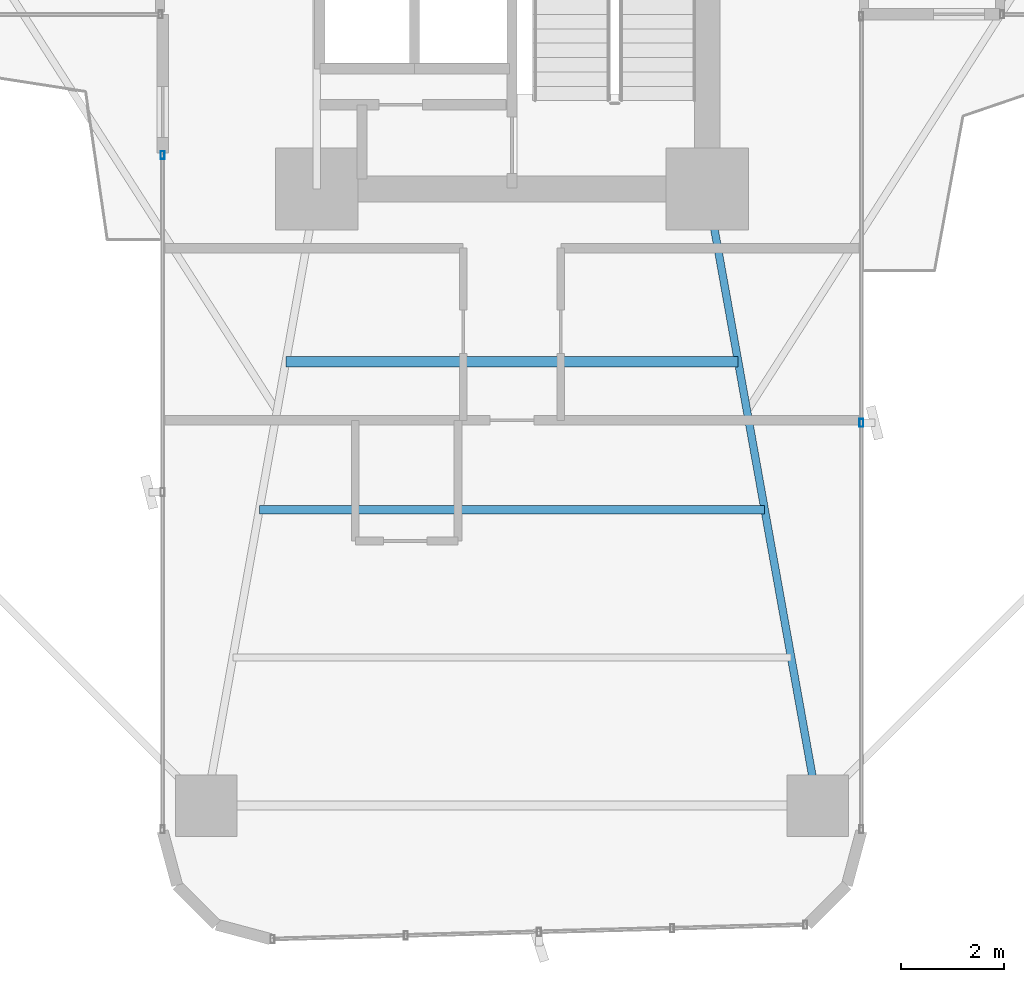
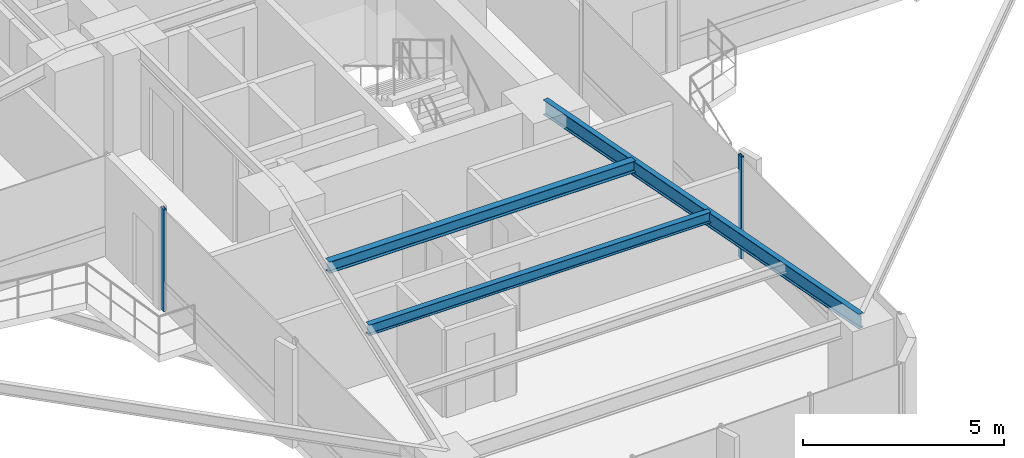
# One storey, part 4 of 26: 3 beams, 2 members, 2 elements without a shape of their own.
"""IFC4 building model written with IfcOpenShell, lengths in metres."""

from ifc_helpers import new_model, si_unit, direction, frame, origin, origin_2d, place, context, subcontext, project, spatial, hollow_rectangle, i_section, extrude, source, transform, mapped, material, material_profile, profile_set, type_object, element, aggregate, save


model = new_model("IFC4")

# Units and contexts
model_context = context("Model", 3, precision=1e-05, world=origin(), true_north=direction((0.0, 1.0)))
body_context = subcontext(model_context, "Body", "Model", "MODEL_VIEW")
ifc_project = project(units=[si_unit("LENGTHUNIT", "METRE"), si_unit("AREAUNIT", "SQUARE_METRE"), si_unit("VOLUMEUNIT", "CUBIC_METRE"), si_unit("PLANEANGLEUNIT", "RADIAN"), si_unit("MASSUNIT", "GRAM", prefix="KILO")], contexts=[model_context])

# Site, building, storey
site_placement = place(None, origin())
site = spatial("IfcSite", under=ifc_project, at=site_placement, CompositionType="ELEMENT")
building_placement = place(site_placement, origin())
building = spatial("IfcBuilding", under=site, at=building_placement, Name="Sahyath Konkavel Grand Hotel", CompositionType="ELEMENT")
storey_placement = place(building_placement, frame((0.0, 0.0, 51.050048828125)))
storey = spatial("IfcBuildingStorey", under=building, at=storey_placement, Name="L13", CompositionType="ELEMENT", Elevation=51.050048828125)

# Beams
ifc_material_1 = material(Name="Steel E350", Category="steel")
ifc_material_profile_1 = material_profile(ifc_material_1, i_section(OverallWidth=0.14990234375, OverallDepth=0.449951171875, WebThickness=0.009521484375, FlangeThickness=0.017333984375, FilletRadius=0.014892578125, at=origin_2d()), Name="ISMB 450")
ifc_profile_set_1 = profile_set([ifc_material_profile_1], Name="Steel E350")
beam_type_1 = type_object("IfcBeamType", Name="BM-ISMB450", PredefinedType="BEAM", material=ifc_profile_set_1)
shared_shape_1 = source(origin(), body_context, "Body", "SweptSolid", [
    extrude(i_section(OverallWidth=0.14990234375, OverallDepth=0.449951171875, WebThickness=0.009521484375, FlangeThickness=0.017333984375, FilletRadius=0.014892578125, at=origin_2d()), origin(), (0.0, 0.0, 1.0), 12.191162109375),
])
beam_1_placement = place(storey_placement, frame((3.800048828125, -10.199951171875, 2.885009765625), z_axis=(0.176350650305, -0.984327409014, 0.0), x_axis=(0.984327409014, 0.176350650305, 0.0)))
element("IfcBeam", 1, at=beam_1_placement, inside=storey, type_object=beam_type_1, Name="L13 Cruciform Radial Girder SB", PredefinedType="BEAM", context=body_context, shape_type="MappedRepresentation", body=[
    mapped(shared_shape_1, transform((0.0, 0.0, 0.0), scale=1.0)),
])
ifc_material_profile_2 = material_profile(ifc_material_1, i_section(OverallWidth=0.199951171875, OverallDepth=0.35009765625, WebThickness=0.008056640625, FlangeThickness=0.011474609375, FilletRadius=0.013916015625, at=origin_2d()), Name="ISWB 350")
ifc_profile_set_2 = profile_set([ifc_material_profile_2], Name="Steel E350")
beam_type_2 = type_object("IfcBeamType", Name="BM-ISWB350", PredefinedType="BEAM", material=ifc_profile_set_2)
shared_shape_2 = source(origin(), body_context, "Body", "SweptSolid", [
    extrude(i_section(OverallWidth=0.199951171875, OverallDepth=0.35009765625, WebThickness=0.008056640625, FlangeThickness=0.011474609375, FilletRadius=0.013916015625, at=origin_2d()), origin(), (0.0, 0.0, 1.0), 8.80419921875),
])
beam_2_placement = place(storey_placement, frame((-4.402099609375, -13.56005859375, 2.93505859375), z_axis=(1.0, 0.0, 0.0), x_axis=(0.0, 1.0, 0.0)))
element("IfcBeam", 2, at=beam_2_placement, inside=storey, type_object=beam_type_2, Name="L13 Secondary Floor Beam S-1", PredefinedType="BEAM", context=body_context, shape_type="MappedRepresentation", body=[
    mapped(shared_shape_2, transform((0.0, 0.0, 0.0), scale=1.0)),
])
ifc_material_profile_3 = material_profile(ifc_material_1, i_section(OverallWidth=0.1650390625, OverallDepth=0.324951171875, WebThickness=0.007080078125, FlangeThickness=0.009765625, FilletRadius=0.014892578125, at=origin_2d()), Name="ISLB 325")
ifc_profile_set_3 = profile_set([ifc_material_profile_3], Name="Steel E350")
beam_type_3 = type_object("IfcBeamType", Name="BM-ISLB325", PredefinedType="BEAM", material=ifc_profile_set_3)
shared_shape_3 = source(origin(), body_context, "Body", "SweptSolid", [
    extrude(i_section(OverallWidth=0.1650390625, OverallDepth=0.324951171875, WebThickness=0.007080078125, FlangeThickness=0.009765625, FilletRadius=0.014892578125, at=origin_2d()), origin(), (0.0, 0.0, 1.0), 9.8359375),
])
beam_3_placement = place(storey_placement, frame((-4.91796875, -16.43994140625, 2.947509765625), z_axis=(1.0, 0.0, 0.0), x_axis=(0.0, 1.0, 0.0)))
element("IfcBeam", 3, at=beam_3_placement, inside=storey, type_object=beam_type_3, Name="L13 Secondary Floor Beam S-2", PredefinedType="BEAM", context=body_context, shape_type="MappedRepresentation", body=[
    mapped(shared_shape_3, transform((0.0, 0.0, 0.0), scale=1.0)),
])

# Curtain wall, member
ifc_material_2 = material(Name="Anodised Bronze Aluminium & Low-E Glazing", Category="aluminium")
curtain_wall_type = type_object("IfcCurtainWallType", Name="CW-ZONE1", PredefinedType="NOTDEFINED", material=ifc_material_2)
curtain_wall_1_placement = place(storey_placement, origin())
curtain_wall_1 = element("IfcCurtainWall", 4, at=curtain_wall_1_placement, inside=storey, type_object=curtain_wall_type, Name="L13 Unitised Curtain Wall F24", PredefinedType="NOTDEFINED")
ifc_material_3 = material(Name="Anodised Bronze Aluminium", Category="aluminium")
ifc_material_profile_4 = material_profile(ifc_material_3, hollow_rectangle(XDim=0.080078125, YDim=0.159912109375, WallThickness=0.006103515625, at=origin_2d()), Name="RHS 160x80x6")
ifc_profile_set_4 = profile_set([ifc_material_profile_4], Name="Anodised Bronze Aluminium")
member_type = type_object("IfcMemberType", Name="CW-MUL-160", PredefinedType="MULLION", material=ifc_profile_set_4)
shared_shape_4 = source(origin(), body_context, "Body", "SweptSolid", [
    extrude(hollow_rectangle(XDim=0.080078125, YDim=0.159912109375, WallThickness=0.006103515625, at=origin_2d()), origin(), (0.0, 0.0, 1.0), 3.10986328125),
])
member_1_placement = place(storey_placement, frame((-6.800048828125, -9.5400390625, 0.0), z_axis=(0.0, 0.0, 1.0), x_axis=(1.0, 0.0, 0.0)))
member_1 = element("IfcMember", 5, at=member_1_placement, type_object=member_type, Name="L13 Curtain Wall Mullion F24-0", PredefinedType="MULLION", context=body_context, shape_type="MappedRepresentation", body=[
    mapped(shared_shape_4, transform((0.0, 0.0, 0.0), scale=1.0)),
])
aggregate(curtain_wall_1, [member_1])

curtain_wall_2_placement = place(storey_placement, origin())
curtain_wall_2 = element("IfcCurtainWall", 6, at=curtain_wall_2_placement, inside=storey, type_object=curtain_wall_type, Name="L13 Unitised Curtain Wall F31", PredefinedType="NOTDEFINED")
member_2_placement = place(storey_placement, frame((6.800048828125, -14.75, 0.0), z_axis=(0.0, 0.0, 1.0), x_axis=(1.0, 0.0, 0.0)))
member_2 = element("IfcMember", 7, at=member_2_placement, type_object=member_type, Name="L13 Curtain Wall Mullion F31-1", PredefinedType="MULLION", context=body_context, shape_type="MappedRepresentation", body=[
    mapped(shared_shape_4, transform((0.0, 0.0, 0.0), scale=1.0)),
])
aggregate(curtain_wall_2, [member_2])

save(model, "model.ifc")
